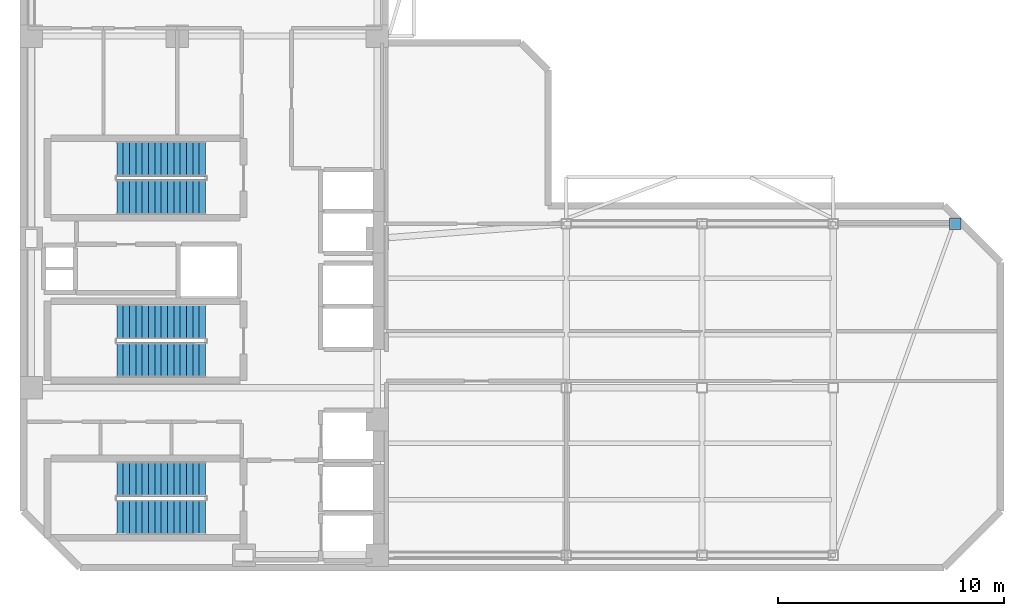
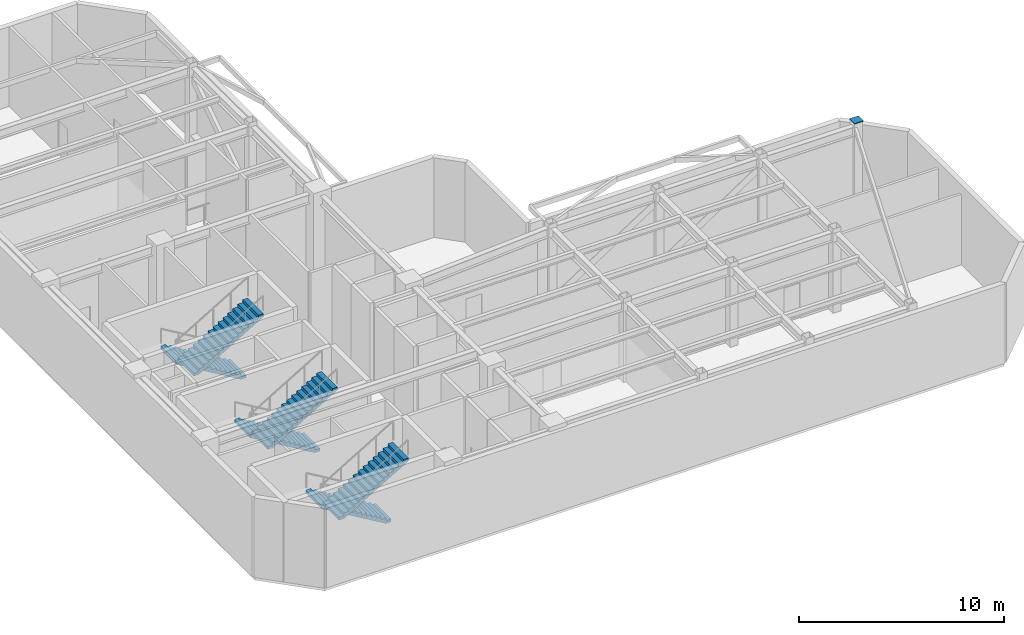
# One storey, part 5 of 7: 6 stair flights, 1 discrete accessory, 3 elements without a shape of their own.
"""IFC4 building model written with IfcOpenShell, lengths in metres."""

from ifc_helpers import new_model, si_unit, direction, frame, origin, origin_2d, place, context, subcontext, project, spatial, polyline, rectangle, outline, extrude, material, layer, layer_set, type_object, element, aggregate, save


model = new_model("IFC4")

# Units and contexts
model_context = context("Model", 3, precision=1e-05, world=origin(), true_north=direction((0.0, 1.0)))
body_context = subcontext(model_context, "Body", "Model", "MODEL_VIEW")
ifc_project = project(units=[si_unit("LENGTHUNIT", "METRE"), si_unit("AREAUNIT", "SQUARE_METRE"), si_unit("VOLUMEUNIT", "CUBIC_METRE"), si_unit("PLANEANGLEUNIT", "RADIAN"), si_unit("MASSUNIT", "GRAM", prefix="KILO")], contexts=[model_context])

# Site, building, storey
site_placement = place(None, origin())
site = spatial("IfcSite", under=ifc_project, at=site_placement, CompositionType="ELEMENT")
building_placement = place(site_placement, origin())
building = spatial("IfcBuilding", under=site, at=building_placement, Name="Mawjaban Terraces University", CompositionType="ELEMENT")
storey_placement = place(building_placement, frame((0.0, 0.0, 238.199951171875)))
storey = spatial("IfcBuildingStorey", under=building, at=storey_placement, Name="L58", CompositionType="ELEMENT", Elevation=238.199951171875)

# Stair, stair flights
ifc_material_1 = material(Name="Concrete C40/50", Category="concrete")
stair_type = type_object("IfcStairType", Name="Stair_Core1550_H50", PredefinedType="HALF_TURN_STAIR", material=ifc_material_1)
stair_1_placement = place(storey_placement, origin())
stair_1 = element("IfcStair", 1, at=stair_1_placement, inside=storey, type_object=stair_type, Name="L58 Core Exit Stair 1", PredefinedType="HALF_TURN_STAIR")
stair_flight_type = type_object("IfcStairFlightType", Name="Flight_Core1550_H50", PredefinedType="STRAIGHT", material=ifc_material_1)
stair_flight_1_placement = place(storey_placement, frame((30.050048828125, 3.925048828125, 0.0), z_axis=(0.0, 0.0, 1.0), x_axis=(-1.0, 0.0, 0.0)))
stair_flight_1 = element("IfcStairFlight", 2, at=stair_flight_1_placement, type_object=stair_flight_type, Name="ST-1 flight 1", NumberOfRisers=15, NumberOfTreads=14, PredefinedType="STRAIGHT", RiserHeight=0.166666667, TreadLength=0.28, context=body_context, shape_type="SweptSolid", body=[
    extrude(outline(polyline([(0.0, 0.0), (0.0, 0.166748046875), (0.280029296875, 0.166748046875), (0.280029296875, 0.333251953125), (0.56005859375, 0.333251953125), (0.56005859375, 0.5), (0.840087890625, 0.5), (0.840087890625, 0.666748046875), (1.1201171875, 0.666748046875), (1.1201171875, 0.833251953125), (1.39990234375, 0.833251953125), (1.39990234375, 1.0), (1.679931640625, 1.0), (1.679931640625, 1.166748046875), (1.9599609375, 1.166748046875), (1.9599609375, 1.333251953125), (2.239990234375, 1.333251953125), (2.239990234375, 1.5), (2.52001953125, 1.5), (2.52001953125, 1.666748046875), (2.800048828125, 1.666748046875), (2.800048828125, 1.833251953125), (3.080078125, 1.833251953125), (3.080078125, 2.0), (3.360107421875, 2.0), (3.360107421875, 2.166748046875), (3.639892578125, 2.166748046875), (3.639892578125, 2.333251953125), (3.919921875, 2.333251953125), (3.919921875, 2.5), (3.919921875, 2.158935546875), (0.29296875, 0.0), (0.0, 0.0)])), frame((0.0, 0.77490234375, 0.0), z_axis=(0.0, -1.0, 0.0), x_axis=(1.0, 0.0, 0.0)), (0.0, 0.0, 1.0), 1.550048828125),
])
stair_flight_2_placement = place(storey_placement, frame((26.1298828125, 2.22509765625, 2.5), z_axis=(0.0, 0.0, 1.0), x_axis=(1.0, 0.0, 0.0)))
stair_flight_2 = element("IfcStairFlight", 3, at=stair_flight_2_placement, type_object=stair_flight_type, Name="ST-1 flight 2", NumberOfRisers=15, NumberOfTreads=14, PredefinedType="STRAIGHT", RiserHeight=0.166666667, TreadLength=0.28, context=body_context, shape_type="SweptSolid", body=[
    extrude(outline(polyline([(0.0, 0.0), (0.0, 0.166748046875), (0.280029296875, 0.166748046875), (0.280029296875, 0.333251953125), (0.56005859375, 0.333251953125), (0.56005859375, 0.5), (0.840087890625, 0.5), (0.840087890625, 0.666748046875), (1.1201171875, 0.666748046875), (1.1201171875, 0.833251953125), (1.39990234375, 0.833251953125), (1.39990234375, 1.0), (1.679931640625, 1.0), (1.679931640625, 1.166748046875), (1.9599609375, 1.166748046875), (1.9599609375, 1.333251953125), (2.239990234375, 1.333251953125), (2.239990234375, 1.5), (2.52001953125, 1.5), (2.52001953125, 1.666748046875), (2.800048828125, 1.666748046875), (2.800048828125, 1.833251953125), (3.080078125, 1.833251953125), (3.080078125, 2.0), (3.360107421875, 2.0), (3.360107421875, 2.166748046875), (3.639892578125, 2.166748046875), (3.639892578125, 2.333251953125), (3.919921875, 2.333251953125), (3.919921875, 2.5), (3.919921875, 2.158935546875), (0.29296875, 0.0), (0.0, 0.0)])), frame((0.0, 0.77490234375, 0.0), z_axis=(0.0, -1.0, 0.0), x_axis=(1.0, 0.0, 0.0)), (0.0, 0.0, 1.0), 1.550048828125),
])
aggregate(stair_1, [stair_flight_1, stair_flight_2])

stair_2_placement = place(storey_placement, origin())
stair_2 = element("IfcStair", 4, at=stair_2_placement, inside=storey, type_object=stair_type, Name="L58 Core Exit Stair 2", PredefinedType="HALF_TURN_STAIR")
stair_flight_3_placement = place(storey_placement, frame((30.050048828125, 18.074951171875, 0.0), z_axis=(0.0, 0.0, 1.0), x_axis=(-1.0, 0.0, 0.0)))
stair_flight_3 = element("IfcStairFlight", 5, at=stair_flight_3_placement, type_object=stair_flight_type, Name="ST-2 flight 1", NumberOfRisers=15, NumberOfTreads=14, PredefinedType="STRAIGHT", RiserHeight=0.166666667, TreadLength=0.28, context=body_context, shape_type="SweptSolid", body=[
    extrude(outline(polyline([(0.0, 0.0), (0.0, 0.166748046875), (0.280029296875, 0.166748046875), (0.280029296875, 0.333251953125), (0.56005859375, 0.333251953125), (0.56005859375, 0.5), (0.840087890625, 0.5), (0.840087890625, 0.666748046875), (1.1201171875, 0.666748046875), (1.1201171875, 0.833251953125), (1.39990234375, 0.833251953125), (1.39990234375, 1.0), (1.679931640625, 1.0), (1.679931640625, 1.166748046875), (1.9599609375, 1.166748046875), (1.9599609375, 1.333251953125), (2.239990234375, 1.333251953125), (2.239990234375, 1.5), (2.52001953125, 1.5), (2.52001953125, 1.666748046875), (2.800048828125, 1.666748046875), (2.800048828125, 1.833251953125), (3.080078125, 1.833251953125), (3.080078125, 2.0), (3.360107421875, 2.0), (3.360107421875, 2.166748046875), (3.639892578125, 2.166748046875), (3.639892578125, 2.333251953125), (3.919921875, 2.333251953125), (3.919921875, 2.5), (3.919921875, 2.158935546875), (0.29296875, 0.0), (0.0, 0.0)])), frame((0.0, 0.77490234375, 0.0), z_axis=(0.0, -1.0, 0.0), x_axis=(1.0, 0.0, 0.0)), (0.0, 0.0, 1.0), 1.550048828125),
])
stair_flight_4_placement = place(storey_placement, frame((26.1298828125, 16.375, 2.5), z_axis=(0.0, 0.0, 1.0), x_axis=(1.0, 0.0, 0.0)))
stair_flight_4 = element("IfcStairFlight", 6, at=stair_flight_4_placement, type_object=stair_flight_type, Name="ST-2 flight 2", NumberOfRisers=15, NumberOfTreads=14, PredefinedType="STRAIGHT", RiserHeight=0.166666667, TreadLength=0.28, context=body_context, shape_type="SweptSolid", body=[
    extrude(outline(polyline([(0.0, 0.0), (0.0, 0.166748046875), (0.280029296875, 0.166748046875), (0.280029296875, 0.333251953125), (0.56005859375, 0.333251953125), (0.56005859375, 0.5), (0.840087890625, 0.5), (0.840087890625, 0.666748046875), (1.1201171875, 0.666748046875), (1.1201171875, 0.833251953125), (1.39990234375, 0.833251953125), (1.39990234375, 1.0), (1.679931640625, 1.0), (1.679931640625, 1.166748046875), (1.9599609375, 1.166748046875), (1.9599609375, 1.333251953125), (2.239990234375, 1.333251953125), (2.239990234375, 1.5), (2.52001953125, 1.5), (2.52001953125, 1.666748046875), (2.800048828125, 1.666748046875), (2.800048828125, 1.833251953125), (3.080078125, 1.833251953125), (3.080078125, 2.0), (3.360107421875, 2.0), (3.360107421875, 2.166748046875), (3.639892578125, 2.166748046875), (3.639892578125, 2.333251953125), (3.919921875, 2.333251953125), (3.919921875, 2.5), (3.919921875, 2.158935546875), (0.29296875, 0.0), (0.0, 0.0)])), frame((0.0, 0.77490234375, 0.0), z_axis=(0.0, -1.0, 0.0), x_axis=(1.0, 0.0, 0.0)), (0.0, 0.0, 1.0), 1.550048828125),
])
aggregate(stair_2, [stair_flight_3, stair_flight_4])

stair_3_placement = place(storey_placement, origin())
stair_3 = element("IfcStair", 7, at=stair_3_placement, inside=storey, type_object=stair_type, Name="L58 Core Exit Stair 3", PredefinedType="HALF_TURN_STAIR")
stair_flight_5_placement = place(storey_placement, frame((30.050048828125, 10.875, 0.0), z_axis=(0.0, 0.0, 1.0), x_axis=(-1.0, 0.0, 0.0)))
stair_flight_5 = element("IfcStairFlight", 8, at=stair_flight_5_placement, type_object=stair_flight_type, Name="ST-3 flight 1", NumberOfRisers=15, NumberOfTreads=14, PredefinedType="STRAIGHT", RiserHeight=0.166666667, TreadLength=0.28, context=body_context, shape_type="SweptSolid", body=[
    extrude(outline(polyline([(0.0, 0.0), (0.0, 0.166748046875), (0.280029296875, 0.166748046875), (0.280029296875, 0.333251953125), (0.56005859375, 0.333251953125), (0.56005859375, 0.5), (0.840087890625, 0.5), (0.840087890625, 0.666748046875), (1.1201171875, 0.666748046875), (1.1201171875, 0.833251953125), (1.39990234375, 0.833251953125), (1.39990234375, 1.0), (1.679931640625, 1.0), (1.679931640625, 1.166748046875), (1.9599609375, 1.166748046875), (1.9599609375, 1.333251953125), (2.239990234375, 1.333251953125), (2.239990234375, 1.5), (2.52001953125, 1.5), (2.52001953125, 1.666748046875), (2.800048828125, 1.666748046875), (2.800048828125, 1.833251953125), (3.080078125, 1.833251953125), (3.080078125, 2.0), (3.360107421875, 2.0), (3.360107421875, 2.166748046875), (3.639892578125, 2.166748046875), (3.639892578125, 2.333251953125), (3.919921875, 2.333251953125), (3.919921875, 2.5), (3.919921875, 2.158935546875), (0.29296875, 0.0), (0.0, 0.0)])), frame((0.0, 0.77490234375, 0.0), z_axis=(0.0, -1.0, 0.0), x_axis=(1.0, 0.0, 0.0)), (0.0, 0.0, 1.0), 1.550048828125),
])
stair_flight_6_placement = place(storey_placement, frame((26.1298828125, 9.175048828125, 2.5), z_axis=(0.0, 0.0, 1.0), x_axis=(1.0, 0.0, 0.0)))
stair_flight_6 = element("IfcStairFlight", 9, at=stair_flight_6_placement, type_object=stair_flight_type, Name="ST-3 flight 2", NumberOfRisers=15, NumberOfTreads=14, PredefinedType="STRAIGHT", RiserHeight=0.166666667, TreadLength=0.28, context=body_context, shape_type="SweptSolid", body=[
    extrude(outline(polyline([(0.0, 0.0), (0.0, 0.166748046875), (0.280029296875, 0.166748046875), (0.280029296875, 0.333251953125), (0.56005859375, 0.333251953125), (0.56005859375, 0.5), (0.840087890625, 0.5), (0.840087890625, 0.666748046875), (1.1201171875, 0.666748046875), (1.1201171875, 0.833251953125), (1.39990234375, 0.833251953125), (1.39990234375, 1.0), (1.679931640625, 1.0), (1.679931640625, 1.166748046875), (1.9599609375, 1.166748046875), (1.9599609375, 1.333251953125), (2.239990234375, 1.333251953125), (2.239990234375, 1.5), (2.52001953125, 1.5), (2.52001953125, 1.666748046875), (2.800048828125, 1.666748046875), (2.800048828125, 1.833251953125), (3.080078125, 1.833251953125), (3.080078125, 2.0), (3.360107421875, 2.0), (3.360107421875, 2.166748046875), (3.639892578125, 2.166748046875), (3.639892578125, 2.333251953125), (3.919921875, 2.333251953125), (3.919921875, 2.5), (3.919921875, 2.158935546875), (0.29296875, 0.0), (0.0, 0.0)])), frame((0.0, 0.77490234375, 0.0), z_axis=(0.0, -1.0, 0.0), x_axis=(1.0, 0.0, 0.0)), (0.0, 0.0, 1.0), 1.550048828125),
])
aggregate(stair_3, [stair_flight_5, stair_flight_6])

# Discrete accessory
ifc_material_2 = material(Name="Steel ASTM A572 Grade 50", Category="steel")
ifc_layer = layer(ifc_material_2, 0.0400390625)
ifc_layer_set = layer_set([ifc_layer], Name="Steel ASTM A572 Grade 50")
discrete_accessory_type = type_object("IfcDiscreteAccessoryType", Name="HollowSectionEndCap_40", PredefinedType="BRACKET", material=ifc_layer_set)
discrete_accessory_placement = place(storey_placement, frame((63.199951171875, 15.199951171875, 4.97998046875), z_axis=(0.0, 0.0, 1.0), x_axis=(1.0, 0.0, 0.0)))
element("IfcDiscreteAccessory", 10, at=discrete_accessory_placement, inside=storey, type_object=discrete_accessory_type, Name="L58 Hollow Section End Cap Plate CAP-L58-632", PredefinedType="BRACKET", context=body_context, shape_type="SweptSolid", body=[
    extrude(rectangle(XDim=0.5, YDim=0.5, at=origin_2d()), origin(), (0.0, 0.0, 1.0), 0.0400390625),
])

save(model, "model.ifc")
